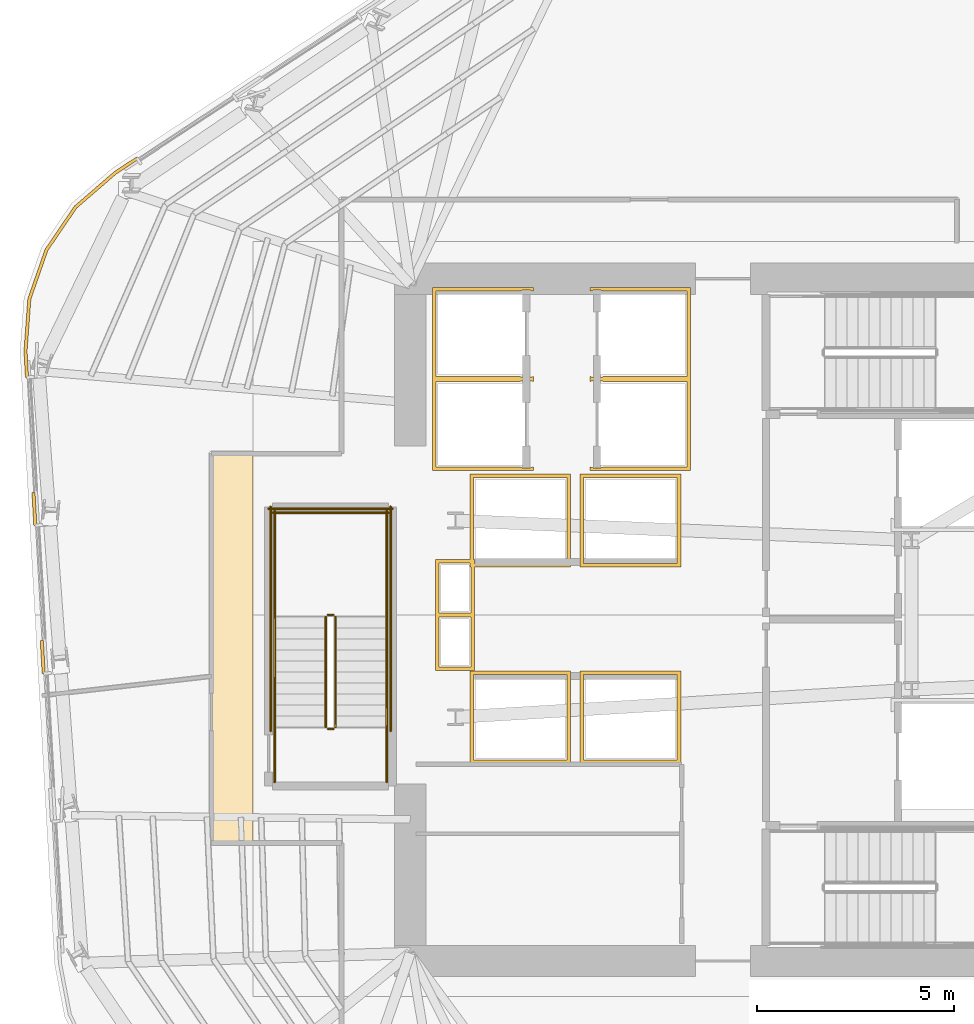
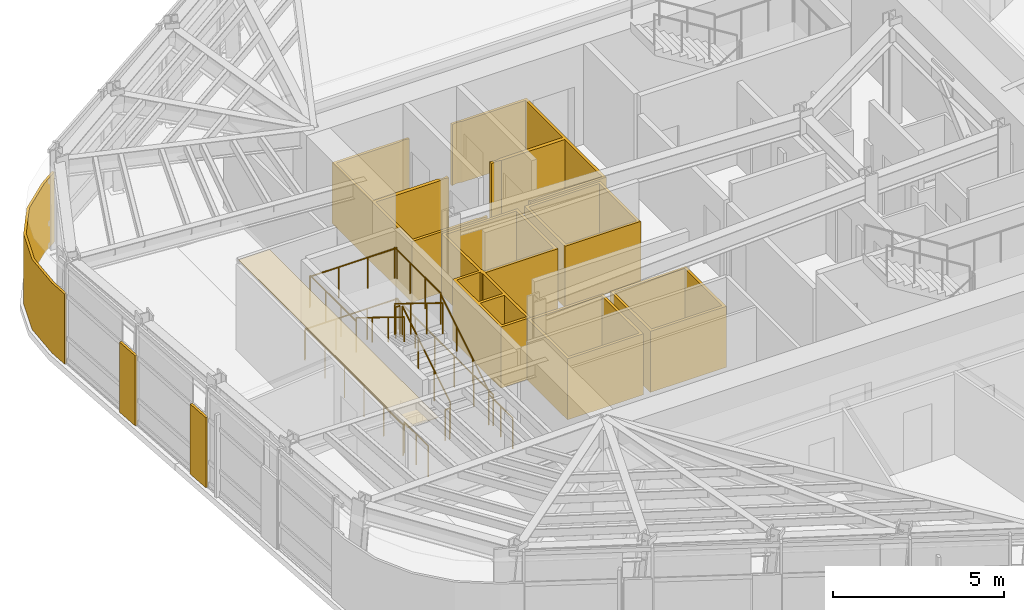
# One storey, part 11 of 15: 14 railings, 10 coverings.
"""IFC4 building model written with IfcOpenShell, lengths in metres."""

from ifc_helpers import new_model, si_unit, direction, frame, origin, origin_2d, place, context, subcontext, project, spatial, polyline, circle, outline, extrude, material, layer, layer_set, type_object, element, save


model = new_model("IFC4")

# Units and contexts
model_context = context("Model", 3, precision=1e-05, world=origin(), true_north=direction((0.0, 1.0)))
body_context = subcontext(model_context, "Body", "Model", "MODEL_VIEW")
ifc_project = project(units=[si_unit("LENGTHUNIT", "METRE"), si_unit("AREAUNIT", "SQUARE_METRE"), si_unit("VOLUMEUNIT", "CUBIC_METRE"), si_unit("PLANEANGLEUNIT", "RADIAN"), si_unit("MASSUNIT", "GRAM", prefix="KILO")], contexts=[model_context])

# Site, building, storey
site_placement = place(None, origin())
site = spatial("IfcSite", under=ifc_project, at=site_placement, CompositionType="ELEMENT")
building_placement = place(site_placement, origin())
building = spatial("IfcBuilding", under=site, at=building_placement, Name="Valkerne Bourse Tower", CompositionType="ELEMENT")
storey_placement = place(building_placement, frame((0.0, 0.0, 166.60009765625)))
storey = spatial("IfcBuildingStorey", under=building, at=storey_placement, Name="L42", CompositionType="ELEMENT", Elevation=166.60009765625)

# Coverings
ifc_material_1 = material(Name="Bronze Anodised Aluminium AA 6063-T6", Category="aluminium")
ifc_layer_1 = layer(ifc_material_1, 0.030029296875)
ifc_layer_set_1 = layer_set([ifc_layer_1], Name="Bronze Anodised Aluminium AA 6063-T6")
covering_type_1 = type_object("IfcCoveringType", Name="COV-CEIL-METAL", PredefinedType="CEILING", material=ifc_layer_set_1)
covering_1_placement = place(storey_placement, frame((0.0, 0.0, 3.22998046875)))
element("IfcCovering", 1, at=covering_1_placement, inside=storey, type_object=covering_type_1, Name="L42 Suspended Ceiling 02", PredefinedType="CEILING", context=body_context, shape_type="SweptSolid", body=[
    extrude(outline(polyline([(32.553955078125, 21.2041015625), (32.553955078125, 31.095947265625), (33.60009765625, 31.095947265625), (33.60009765625, 21.2041015625), (32.553955078125, 21.2041015625)])), origin(), (0.0, 0.0, 1.0), 0.02490234375),
])
ifc_layer_2 = layer(ifc_material_1, 0.06005859375)
ifc_layer_set_2 = layer_set([ifc_layer_2], Name="Bronze Anodised Aluminium AA 6063-T6")
covering_type_2 = type_object("IfcCoveringType", Name="COV-CRN-ALUM", PredefinedType="CLADDING", material=ifc_layer_set_2)
covering_2_placement = place(storey_placement, origin())
element("IfcCovering", 2, at=covering_2_placement, inside=storey, type_object=covering_type_2, Name="L42 Wind-Shaped Corner Aluminium Cladding 11", PredefinedType="CLADDING", context=body_context, shape_type="SweptSolid", body=[
    extrude(outline(polyline([(28.19091796875, 26.34765625), (28.27099609375, 26.352294921875), (28.318115234375, 25.513671875), (28.23828125, 25.509033203125), (28.19091796875, 26.34765625)])), origin(), (0.0, 0.0, 1.0), 2.5),
])
covering_3_placement = place(storey_placement, origin())
element("IfcCovering", 3, at=covering_3_placement, inside=storey, type_object=covering_type_2, Name="L42 Wind-Shaped Corner Aluminium Cladding 12", PredefinedType="CLADDING", context=body_context, shape_type="SweptSolid", body=[
    extrude(outline(polyline([(27.978759765625, 30.11279296875), (28.05859375, 30.1171875), (28.10595703125, 29.278564453125), (28.026123046875, 29.27392578125), (27.978759765625, 30.11279296875)])), origin(), (0.0, 0.0, 1.0), 2.5),
])
covering_4_placement = place(storey_placement, origin())
element("IfcCovering", 4, at=covering_4_placement, inside=storey, type_object=covering_type_2, Name="L42 Wind-Shaped Corner Aluminium Cladding 13", PredefinedType="CLADDING", context=body_context, shape_type="SweptSolid", body=[
    extrude(outline(polyline([(27.776123046875, 33.70703125), (27.874267578125, 35.04150390625), (28.31201171875, 36.298583984375), (29.060302734375, 37.3994140625), (30.072998046875, 38.273681640625), (30.631591796875, 38.641845703125), (30.67578125, 38.574951171875), (30.121337890625, 38.209716796875), (29.12060546875, 37.345703125), (28.384033203125, 36.26220703125), (27.953125, 35.025146484375), (27.8564453125, 33.70654296875), (27.893798828125, 33.043701171875), (27.81396484375, 33.0390625), (27.776123046875, 33.70703125)])), origin(), (0.0, 0.0, 1.0), 2.5),
])
ifc_material_2 = material(Name="Gypsum Shaftwall Liner Board", Category="gypsum")
ifc_layer_3 = layer(ifc_material_2, 0.080078125)
ifc_layer_set_3 = layer_set([ifc_layer_3], Name="Gypsum Shaftwall Liner Board")
covering_type_3 = type_object("IfcCoveringType", Name="COV-SHF-CLAD", PredefinedType="CLADDING", material=ifc_layer_set_3)
covering_5_placement = place(storey_placement, origin())
element("IfcCovering", 5, at=covering_5_placement, inside=storey, type_object=covering_type_3, Name="L42 Hoistway & Riser Shaftwall Liner 01", PredefinedType="CLADDING", context=body_context, shape_type="SweptSolid", body=[
    extrude(outline(polyline([(41.679931640625, 25.580078125), (41.679931640625, 23.219970703125), (39.1201171875, 23.219970703125), (39.1201171875, 25.580078125), (41.679931640625, 25.580078125)]), holes=[polyline([(41.590087890625, 25.489990234375), (39.2099609375, 25.489990234375), (39.2099609375, 23.31005859375), (41.590087890625, 23.31005859375), (41.590087890625, 25.489990234375)])]), origin(), (0.0, 0.0, 1.0), 2.179931640625),
])
covering_6_placement = place(storey_placement, origin())
element("IfcCovering", 6, at=covering_6_placement, inside=storey, type_object=covering_type_3, Name="L42 Hoistway & Riser Shaftwall Liner 02", PredefinedType="CLADDING", context=body_context, shape_type="SweptSolid", body=[
    extrude(outline(polyline([(44.47998046875, 23.219970703125), (41.919921875, 23.219970703125), (41.919921875, 25.580078125), (44.47998046875, 25.580078125), (44.47998046875, 23.219970703125)]), holes=[polyline([(42.010009765625, 25.489990234375), (42.010009765625, 23.31005859375), (44.389892578125, 23.31005859375), (44.389892578125, 25.489990234375), (42.010009765625, 25.489990234375)])]), origin(), (0.0, 0.0, 1.0), 2.179931640625),
])
covering_7_placement = place(storey_placement, origin())
element("IfcCovering", 7, at=covering_7_placement, inside=storey, type_object=covering_type_3, Name="L42 Hoistway & Riser Shaftwall Liner 03", PredefinedType="CLADDING", context=body_context, shape_type="SweptSolid", body=[
    extrude(outline(polyline([(38.239990234375, 28.409912109375), (39.1201171875, 28.409912109375), (39.1201171875, 30.580078125), (41.679931640625, 30.580078125), (41.679931640625, 28.219970703125), (39.239990234375, 28.219970703125), (39.239990234375, 27.0400390625), (39.239990234375, 26.9599609375), (39.239990234375, 25.590087890625), (38.239990234375, 25.590087890625), (38.239990234375, 26.9599609375), (38.239990234375, 27.0400390625), (38.239990234375, 28.409912109375)]), holes=[polyline([(38.330078125, 26.949951171875), (38.330078125, 25.679931640625), (39.14990234375, 25.679931640625), (39.14990234375, 26.949951171875), (38.330078125, 26.949951171875)]), polyline([(39.2099609375, 30.489990234375), (39.2099609375, 28.409912109375), (39.239990234375, 28.409912109375), (39.239990234375, 28.31005859375), (41.590087890625, 28.31005859375), (41.590087890625, 30.489990234375), (39.2099609375, 30.489990234375)]), polyline([(38.330078125, 27.050048828125), (39.14990234375, 27.050048828125), (39.14990234375, 28.219970703125), (39.1201171875, 28.219970703125), (39.1201171875, 28.320068359375), (38.330078125, 28.320068359375), (38.330078125, 27.050048828125)])]), origin(), (0.0, 0.0, 1.0), 2.179931640625),
])
covering_8_placement = place(storey_placement, origin())
element("IfcCovering", 8, at=covering_8_placement, inside=storey, type_object=covering_type_3, Name="L42 Hoistway & Riser Shaftwall Liner 04", PredefinedType="CLADDING", context=body_context, shape_type="SweptSolid", body=[
    extrude(outline(polyline([(38.169921875, 35.330078125), (40.72998046875, 35.330078125), (40.72998046875, 35.232177734375), (40.72216796875, 35.235595703125), (40.6806640625, 35.25048828125), (40.6376953125, 35.261474609375), (40.593994140625, 35.267822265625), (40.550048828125, 35.27001953125), (40.505859375, 35.267822265625), (40.462158203125, 35.261474609375), (40.41943359375, 35.25048828125), (40.3896484375, 35.239990234375), (38.260009765625, 35.239990234375), (38.260009765625, 33.06005859375), (40.3896484375, 33.06005859375), (40.41943359375, 33.04931640625), (40.462158203125, 33.03857421875), (40.505859375, 33.0322265625), (40.550048828125, 33.030029296875), (40.593994140625, 33.0322265625), (40.6376953125, 33.03857421875), (40.6806640625, 33.04931640625), (40.72216796875, 33.064208984375), (40.72998046875, 33.06787109375), (40.72998046875, 33.030029296875), (40.72998046875, 32.969970703125), (40.72998046875, 32.93212890625), (40.72216796875, 32.935791015625), (40.6806640625, 32.95068359375), (40.6376953125, 32.96142578125), (40.593994140625, 32.9677734375), (40.550048828125, 32.969970703125), (40.505859375, 32.9677734375), (40.462158203125, 32.96142578125), (40.41943359375, 32.95068359375), (40.3896484375, 32.93994140625), (38.260009765625, 32.93994140625), (38.260009765625, 30.760009765625), (40.3896484375, 30.760009765625), (40.41943359375, 30.74951171875), (40.462158203125, 30.738525390625), (40.505859375, 30.732177734375), (40.550048828125, 30.72998046875), (40.593994140625, 30.732177734375), (40.6376953125, 30.738525390625), (40.6806640625, 30.74951171875), (40.72216796875, 30.764404296875), (40.72998046875, 30.767822265625), (40.72998046875, 30.669921875), (38.169921875, 30.669921875), (38.169921875, 32.969970703125), (38.169921875, 33.030029296875), (38.169921875, 35.330078125)])), origin(), (0.0, 0.0, 1.0), 2.179931640625),
])
covering_9_placement = place(storey_placement, origin())
element("IfcCovering", 9, at=covering_9_placement, inside=storey, type_object=covering_type_3, Name="L42 Hoistway & Riser Shaftwall Liner 07", PredefinedType="CLADDING", context=body_context, shape_type="SweptSolid", body=[
    extrude(outline(polyline([(44.47998046875, 28.219970703125), (41.919921875, 28.219970703125), (41.919921875, 30.580078125), (44.47998046875, 30.580078125), (44.47998046875, 28.219970703125)]), holes=[polyline([(42.010009765625, 30.489990234375), (42.010009765625, 28.31005859375), (44.389892578125, 28.31005859375), (44.389892578125, 30.489990234375), (42.010009765625, 30.489990234375)])]), origin(), (0.0, 0.0, 1.0), 2.179931640625),
])
covering_10_placement = place(storey_placement, origin())
element("IfcCovering", 10, at=covering_10_placement, inside=storey, type_object=covering_type_3, Name="L42 Hoistway & Riser Shaftwall Liner 09", PredefinedType="CLADDING", context=body_context, shape_type="SweptSolid", body=[
    extrude(outline(polyline([(42.169921875, 33.06787109375), (42.177734375, 33.064208984375), (42.219482421875, 33.04931640625), (42.26220703125, 33.03857421875), (42.305908203125, 33.0322265625), (42.35009765625, 33.030029296875), (42.39404296875, 33.0322265625), (42.437744140625, 33.03857421875), (42.480712890625, 33.04931640625), (42.51025390625, 33.06005859375), (44.639892578125, 33.06005859375), (44.639892578125, 35.239990234375), (42.51025390625, 35.239990234375), (42.480712890625, 35.25048828125), (42.437744140625, 35.261474609375), (42.39404296875, 35.267822265625), (42.35009765625, 35.27001953125), (42.305908203125, 35.267822265625), (42.26220703125, 35.261474609375), (42.219482421875, 35.25048828125), (42.177734375, 35.235595703125), (42.169921875, 35.232177734375), (42.169921875, 35.330078125), (44.72998046875, 35.330078125), (44.72998046875, 33.030029296875), (44.72998046875, 32.969970703125), (44.72998046875, 30.669921875), (42.169921875, 30.669921875), (42.169921875, 30.767822265625), (42.177734375, 30.764404296875), (42.219482421875, 30.74951171875), (42.26220703125, 30.738525390625), (42.305908203125, 30.732177734375), (42.35009765625, 30.72998046875), (42.39404296875, 30.732177734375), (42.437744140625, 30.738525390625), (42.480712890625, 30.74951171875), (42.51025390625, 30.760009765625), (44.639892578125, 30.760009765625), (44.639892578125, 32.93994140625), (42.51025390625, 32.93994140625), (42.480712890625, 32.95068359375), (42.437744140625, 32.96142578125), (42.39404296875, 32.9677734375), (42.35009765625, 32.969970703125), (42.305908203125, 32.9677734375), (42.26220703125, 32.96142578125), (42.219482421875, 32.95068359375), (42.177734375, 32.935791015625), (42.169921875, 32.93212890625), (42.169921875, 32.969970703125), (42.169921875, 33.030029296875), (42.169921875, 33.06787109375)])), origin(), (0.0, 0.0, 1.0), 2.179931640625),
])

# Railings
ifc_material_3 = material(Name="Galvanised Painted Steel", Category="steel")
railing_type_1 = type_object("IfcRailingType", Name="RLG-ST-GUARD-1120", PredefinedType="GUARDRAIL", material=ifc_material_3)
railing_1_placement = place(storey_placement, frame((35.699951171875, 24.14990234375, 0.172607421875)))
element("IfcRailing", 11, at=railing_1_placement, inside=storey, type_object=railing_type_1, Name="L42 ST-3 stair guard 1", PredefinedType="GUARDRAIL", context=body_context, shape_type="SweptSolid", body=[
    extrude(circle(Radius=0.02392578125, at=origin_2d()), frame((0.0, 0.0, 1.09619140625), z_axis=(0.0, 0.851089632645, 0.525020415988), x_axis=(-1.0, 0.0, 0.0)), (0.0, 0.0, 1.0), 3.2900390625),
    extrude(circle(Radius=0.02099609375, at=origin_2d()), origin(), (0.0, 0.0, 1.0), 1.072021484375),
    extrude(circle(Radius=0.02099609375, at=origin_2d()), frame((0.0, 0.933349609375, 0.57568359375)), (0.0, 0.0, 1.0), 1.072021484375),
    extrude(circle(Radius=0.02099609375, at=origin_2d()), frame((0.0, 1.86669921875, 1.151611328125)), (0.0, 0.0, 1.0), 1.072021484375),
    extrude(circle(Radius=0.02099609375, at=origin_2d()), frame((0.0, 2.800048828125, 1.727294921875)), (0.0, 0.0, 1.0), 1.072021484375),
])
railing_2_placement = place(storey_placement, frame((35.64990234375, 27.0, 1.89990234375)))
element("IfcRailing", 12, at=railing_2_placement, inside=storey, type_object=railing_type_1, Name="L42 ST-3 stair guard 2", PredefinedType="GUARDRAIL", context=body_context, shape_type="SweptSolid", body=[
    extrude(circle(Radius=0.02392578125, at=origin_2d()), frame((0.0, 0.0, 1.09619140625), z_axis=(-1.0, 0.0, 0.0), x_axis=(0.0, -1.0, 0.0)), (0.0, 0.0, 1.0), 0.14990234375),
    extrude(circle(Radius=0.02099609375, at=origin_2d()), origin(), (0.0, 0.0, 1.0), 1.072021484375),
    extrude(circle(Radius=0.02099609375, at=origin_2d()), frame((-0.14990234375, 0.0, 0.0)), (0.0, 0.0, 1.0), 1.072021484375),
])
for number, where, name in (
    (13, (37.0, 26.949951171875, 1.89990234375), "L42 ST-3 stair guard 3"),
    (14, (34.14990234375, 26.949951171875, 1.89990234375), "L42 ST-3 stair guard 4"),
):
    element("IfcRailing", number, at=place(storey_placement, frame(where)), inside=storey, type_object=railing_type_1, Name=name, PredefinedType="GUARDRAIL", context=body_context, shape_type="SweptSolid", body=[
        extrude(circle(Radius=0.02392578125, at=origin_2d()), frame((0.0, 0.0, 1.09619140625), z_axis=(0.0, 1.0, 0.0), x_axis=(-1.0, 0.0, 0.0)), (0.0, 0.0, 1.0), 2.699951171875),
        extrude(circle(Radius=0.02099609375, at=origin_2d()), origin(), (0.0, 0.0, 1.0), 1.072021484375),
        extrude(circle(Radius=0.02099609375, at=origin_2d()), frame((0.0, 0.89990234375, 0.0)), (0.0, 0.0, 1.0), 1.072021484375),
        extrude(circle(Radius=0.02099609375, at=origin_2d()), frame((0.0, 1.800048828125, 0.0)), (0.0, 0.0, 1.0), 1.072021484375),
        extrude(circle(Radius=0.02099609375, at=origin_2d()), frame((0.0, 2.699951171875, 0.0)), (0.0, 0.0, 1.0), 1.072021484375),
    ])
railing_3_placement = place(storey_placement, frame((37.050048828125, 29.60009765625, 1.89990234375)))
element("IfcRailing", 15, at=railing_3_placement, inside=storey, type_object=railing_type_1, Name="L42 ST-3 stair guard 5", PredefinedType="GUARDRAIL", context=body_context, shape_type="SweptSolid", body=[
    extrude(circle(Radius=0.02392578125, at=origin_2d()), frame((0.0, 0.0, 1.09619140625), z_axis=(-1.0, 0.0, 0.0), x_axis=(0.0, -1.0, 0.0)), (0.0, 0.0, 1.0), 2.949951171875),
    extrude(circle(Radius=0.02099609375, at=origin_2d()), origin(), (0.0, 0.0, 1.0), 1.072021484375),
    extrude(circle(Radius=0.02099609375, at=origin_2d()), frame((-0.9833984375, 0.0, 0.0)), (0.0, 0.0, 1.0), 1.072021484375),
    extrude(circle(Radius=0.02099609375, at=origin_2d()), frame((-1.966552734375, 0.0, 0.0)), (0.0, 0.0, 1.0), 1.072021484375),
    extrude(circle(Radius=0.02099609375, at=origin_2d()), frame((-2.949951171875, 0.0, 0.0)), (0.0, 0.0, 1.0), 1.072021484375),
])
railing_4_placement = place(storey_placement, frame((35.449951171875, 26.949951171875, 2.072509765625)))
element("IfcRailing", 16, at=railing_4_placement, inside=storey, type_object=railing_type_1, Name="L42 ST-3 stair guard 6", PredefinedType="GUARDRAIL", context=body_context, shape_type="SweptSolid", body=[
    extrude(circle(Radius=0.02392578125, at=origin_2d()), frame((0.0, 0.0, 1.09619140625), z_axis=(0.0, -0.851089632645, 0.525020415988), x_axis=(1.0, 0.0, 0.0)), (0.0, 0.0, 1.0), 3.2900390625),
    extrude(circle(Radius=0.02099609375, at=origin_2d()), origin(), (0.0, 0.0, 1.0), 1.072021484375),
    extrude(circle(Radius=0.02099609375, at=origin_2d()), frame((0.0, -0.933349609375, 0.57568359375)), (0.0, 0.0, 1.0), 1.072021484375),
    extrude(circle(Radius=0.02099609375, at=origin_2d()), frame((0.0, -1.86669921875, 1.151611328125)), (0.0, 0.0, 1.0), 1.072021484375),
    extrude(circle(Radius=0.02099609375, at=origin_2d()), frame((0.0, -2.800048828125, 1.727294921875)), (0.0, 0.0, 1.0), 1.072021484375),
])
railing_5_placement = place(storey_placement, frame((35.64990234375, 24.10009765625, 0.0)))
element("IfcRailing", 17, at=railing_5_placement, inside=storey, type_object=railing_type_1, Name="L42 ST-3 stair guard 7", PredefinedType="GUARDRAIL", context=body_context, shape_type="SweptSolid", body=[
    extrude(circle(Radius=0.02392578125, at=origin_2d()), frame((0.0, 0.0, 1.09619140625), z_axis=(-1.0, 0.0, 0.0), x_axis=(0.0, -1.0, 0.0)), (0.0, 0.0, 1.0), 0.14990234375),
    extrude(circle(Radius=0.02099609375, at=origin_2d()), origin(), (0.0, 0.0, 1.0), 1.072021484375),
    extrude(circle(Radius=0.02099609375, at=origin_2d()), frame((-0.14990234375, 0.0, 0.0)), (0.0, 0.0, 1.0), 1.072021484375),
])
for number, where, name in (
    (18, (37.0, 22.75, 0.0), "L42 ST-3 stair guard 8"),
    (19, (34.14990234375, 22.75, 0.0), "L42 ST-3 stair guard 9"),
):
    element("IfcRailing", number, at=place(storey_placement, frame(where)), inside=storey, type_object=railing_type_1, Name=name, PredefinedType="GUARDRAIL", context=body_context, shape_type="SweptSolid", body=[
        extrude(circle(Radius=0.02392578125, at=origin_2d()), frame((0.0, 0.0, 1.09619140625), z_axis=(0.0, 1.0, 0.0), x_axis=(-1.0, 0.0, 0.0)), (0.0, 0.0, 1.0), 1.39990234375),
        extrude(circle(Radius=0.02099609375, at=origin_2d()), origin(), (0.0, 0.0, 1.0), 1.072021484375),
        extrude(circle(Radius=0.02099609375, at=origin_2d()), frame((0.0, 0.699951171875, 0.0)), (0.0, 0.0, 1.0), 1.072021484375),
        extrude(circle(Radius=0.02099609375, at=origin_2d()), frame((0.0, 1.39990234375, 0.0)), (0.0, 0.0, 1.0), 1.072021484375),
    ])
for number, where, name in (
    (20, (37.10009765625, 24.050048828125, 0.0), "L42 ST-3 stair guard 10"),
    (21, (34.050048828125, 24.050048828125, 0.0), "L42 ST-3 stair guard 11"),
):
    element("IfcRailing", number, at=place(storey_placement, frame(where)), inside=storey, type_object=railing_type_1, Name=name, PredefinedType="GUARDRAIL", context=body_context, shape_type="SweptSolid", body=[
        extrude(circle(Radius=0.02392578125, at=origin_2d()), frame((0.0, 0.0, 1.09619140625), z_axis=(0.0, 1.0, 0.0), x_axis=(-1.0, 0.0, 0.0)), (0.0, 0.0, 1.0), 5.699951171875),
        extrude(circle(Radius=0.02099609375, at=origin_2d()), origin(), (0.0, 0.0, 1.0), 1.072021484375),
        extrude(circle(Radius=0.02099609375, at=origin_2d()), frame((0.0, 1.139892578125, 0.0)), (0.0, 0.0, 1.0), 1.072021484375),
        extrude(circle(Radius=0.02099609375, at=origin_2d()), frame((0.0, 2.280029296875, 0.0)), (0.0, 0.0, 1.0), 1.072021484375),
        extrude(circle(Radius=0.02099609375, at=origin_2d()), frame((0.0, 3.419921875, 0.0)), (0.0, 0.0, 1.0), 1.072021484375),
        extrude(circle(Radius=0.02099609375, at=origin_2d()), frame((0.0, 4.56005859375, 0.0)), (0.0, 0.0, 1.0), 1.072021484375),
        extrude(circle(Radius=0.02099609375, at=origin_2d()), frame((0.0, 5.699951171875, 0.0)), (0.0, 0.0, 1.0), 1.072021484375),
    ])
railing_6_placement = place(storey_placement, frame((37.14990234375, 29.699951171875, 0.0)))
element("IfcRailing", 22, at=railing_6_placement, inside=storey, type_object=railing_type_1, Name="L42 ST-3 stair guard 12", PredefinedType="GUARDRAIL", context=body_context, shape_type="SweptSolid", body=[
    extrude(circle(Radius=0.02392578125, at=origin_2d()), frame((0.0, 0.0, 1.09619140625), z_axis=(-1.0, 0.0, 0.0), x_axis=(0.0, -1.0, 0.0)), (0.0, 0.0, 1.0), 3.14990234375),
    extrude(circle(Radius=0.02099609375, at=origin_2d()), origin(), (0.0, 0.0, 1.0), 1.072021484375),
    extrude(circle(Radius=0.02099609375, at=origin_2d()), frame((-1.050048828125, 0.0, 0.0)), (0.0, 0.0, 1.0), 1.072021484375),
    extrude(circle(Radius=0.02099609375, at=origin_2d()), frame((-2.099853515625, 0.0, 0.0)), (0.0, 0.0, 1.0), 1.072021484375),
    extrude(circle(Radius=0.02099609375, at=origin_2d()), frame((-3.14990234375, 0.0, 0.0)), (0.0, 0.0, 1.0), 1.072021484375),
])
ifc_material_4 = material(Name="Stainless Steel AISI 316", Category="steel")
railing_type_2 = type_object("IfcRailingType", Name="RLG-ST-HANDRAIL-900", PredefinedType="HANDRAIL", material=ifc_material_4)
railing_7_placement = place(storey_placement, frame((37.0, 24.14990234375, 0.345458984375)))
element("IfcRailing", 23, at=railing_7_placement, inside=storey, type_object=railing_type_2, Name="L42 ST-3 stair handrail 1", PredefinedType="HANDRAIL", context=body_context, shape_type="SweptSolid", body=[
    extrude(circle(Radius=0.02392578125, at=origin_2d()), frame((0.0, 0.0, 0.8759765625), z_axis=(0.0, 0.851122791225, 0.524966660138), x_axis=(-1.0, 0.0, 0.0)), (0.0, 0.0, 1.0), 3.289794921875),
    extrude(circle(Radius=0.02099609375, at=origin_2d()), origin(), (0.0, 0.0, 1.0), 0.851806640625),
    extrude(circle(Radius=0.02099609375, at=origin_2d()), frame((0.0, 0.933349609375, 0.57568359375)), (0.0, 0.0, 1.0), 0.851806640625),
    extrude(circle(Radius=0.02099609375, at=origin_2d()), frame((0.0, 1.86669921875, 1.1513671875)), (0.0, 0.0, 1.0), 0.851806640625),
    extrude(circle(Radius=0.02099609375, at=origin_2d()), frame((0.0, 2.800048828125, 1.72705078125)), (0.0, 0.0, 1.0), 0.851806640625),
])
railing_8_placement = place(storey_placement, frame((34.14990234375, 26.949951171875, 2.245361328125)))
element("IfcRailing", 24, at=railing_8_placement, inside=storey, type_object=railing_type_2, Name="L42 ST-3 stair handrail 2", PredefinedType="HANDRAIL", context=body_context, shape_type="SweptSolid", body=[
    extrude(circle(Radius=0.02392578125, at=origin_2d()), frame((0.0, 0.0, 0.8759765625), z_axis=(0.0, -0.851089632645, 0.525020415988), x_axis=(1.0, 0.0, 0.0)), (0.0, 0.0, 1.0), 3.2900390625),
    extrude(circle(Radius=0.02099609375, at=origin_2d()), origin(), (0.0, 0.0, 1.0), 0.851806640625),
    extrude(circle(Radius=0.02099609375, at=origin_2d()), frame((0.0, -0.933349609375, 0.57568359375)), (0.0, 0.0, 1.0), 0.851806640625),
    extrude(circle(Radius=0.02099609375, at=origin_2d()), frame((0.0, -1.86669921875, 1.151611328125)), (0.0, 0.0, 1.0), 0.851806640625),
    extrude(circle(Radius=0.02099609375, at=origin_2d()), frame((0.0, -2.800048828125, 1.727294921875)), (0.0, 0.0, 1.0), 0.851806640625),
])

save(model, "model.ifc")
